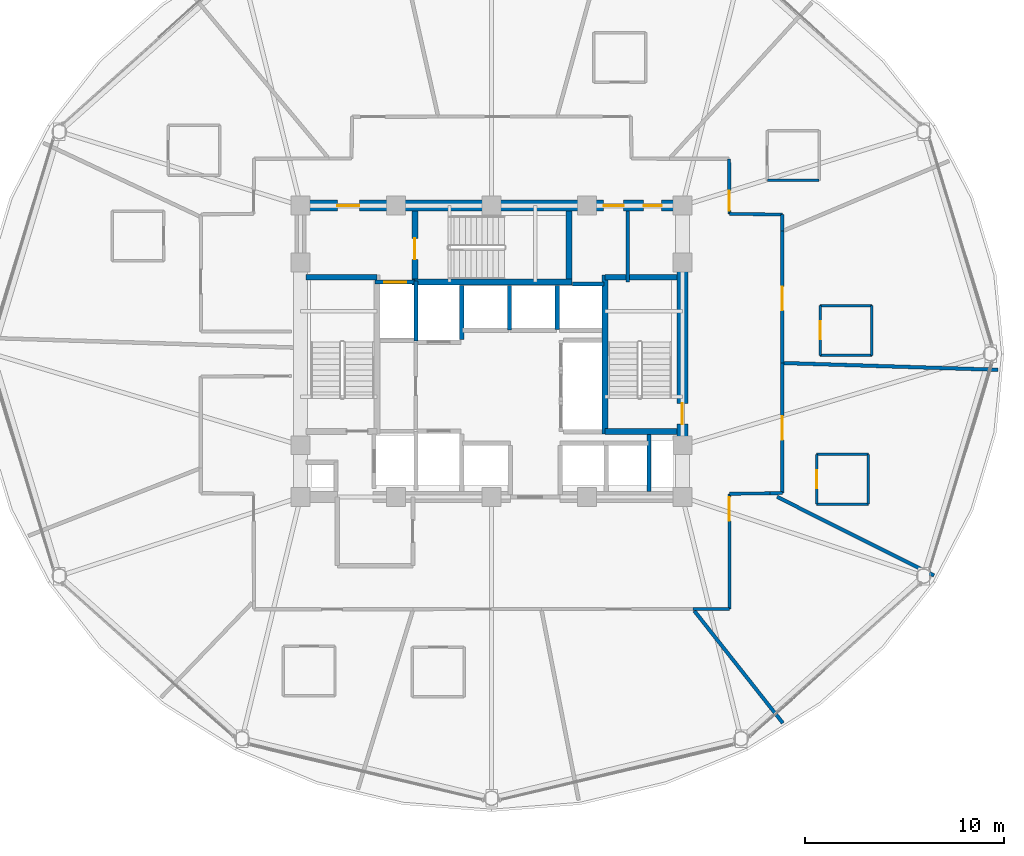
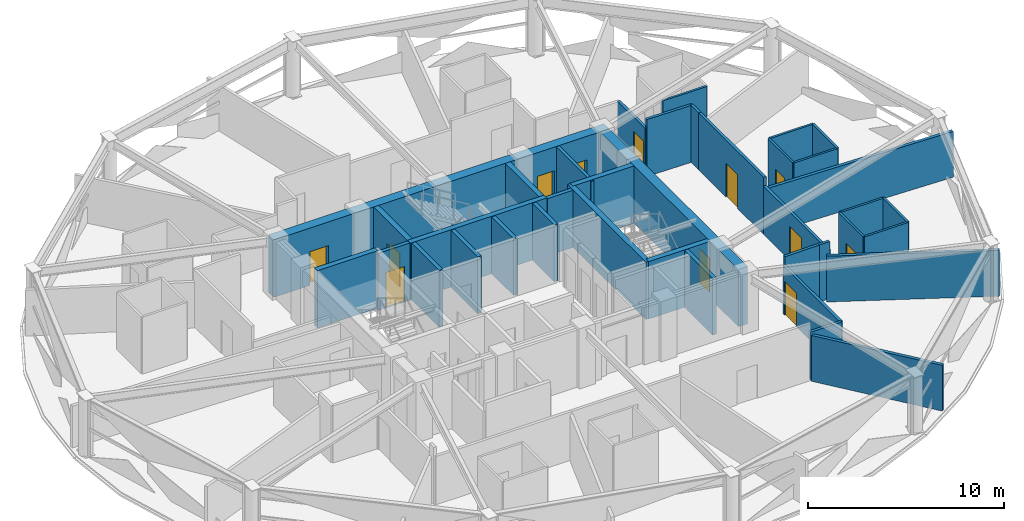
# One storey, part 25 of 30: 38 walls, 12 doors, 12 openings.
"""IFC4 building model written with IfcOpenShell, lengths in metres."""

from ifc_helpers import new_model, si_unit, direction, frame, frame_2d, origin, place, context, subcontext, project, spatial, rectangle, extrude, material, layer, layer_set, type_object, element, fill, save


model = new_model("IFC4")

# Units and contexts
model_context = context("Model", 3, precision=1e-05, world=origin(), true_north=direction((0.0, 1.0)))
body_context = subcontext(model_context, "Body", "Model", "MODEL_VIEW")
ifc_project = project(units=[si_unit("LENGTHUNIT", "METRE"), si_unit("AREAUNIT", "SQUARE_METRE"), si_unit("VOLUMEUNIT", "CUBIC_METRE"), si_unit("PLANEANGLEUNIT", "RADIAN"), si_unit("MASSUNIT", "GRAM", prefix="KILO")], contexts=[model_context])

# Site, building, storey
site_placement = place(None, origin())
site = spatial("IfcSite", under=ifc_project, at=site_placement, CompositionType="ELEMENT")
building_placement = place(site_placement, origin())
building = spatial("IfcBuilding", under=site, at=building_placement, Name="Vantalir Tower", CompositionType="ELEMENT")
storey_placement = place(building_placement, frame((0.0, 0.0, 130.949951171875)))
storey = spatial("IfcBuildingStorey", under=building, at=storey_placement, Name="L32", CompositionType="ELEMENT", Elevation=130.949951171875)

# Walls
ifc_material_1 = material(Name="Moisture-resistant en-suite partition", Category="gypsum")
ifc_layer_1 = layer(ifc_material_1, 0.125)
ifc_layer_set_1 = layer_set([ifc_layer_1], Name="Moisture-resistant en-suite partition")
wall_type_1 = type_object("IfcWallType", Name="WL-BATH-125", PredefinedType="PARTITIONING", material=ifc_layer_set_1)
wall_1_placement = place(storey_placement, frame((45.373046875, 33.718994140625, 0.0), z_axis=(0.0, 0.0, 1.0), x_axis=(1.0, 0.0, 0.0)))
element("IfcWall", 1, at=wall_1_placement, inside=storey, type_object=wall_type_1, Name="L32 En-suite 01 South Wall", PredefinedType="PARTITIONING", context=body_context, shape_type="SweptSolid", body=[
    extrude(rectangle(XDim=2.599853515625, YDim=0.125, at=frame_2d((1.2998046875, 0.0))), origin(), (0.0, 0.0, 1.0), 3.006103515625),
])
for number, where, z_axis, x_axis, name in (
    (2, (47.84912109375, 17.43798828125, 0.0), (0.0, 0.0, 1.0), (1.0, 0.0, 0.0), "L32 En-suite 13 South Wall"),
    (3, (47.84912109375, 19.93798828125, 0.0), (0.0, 0.0, 1.0), (1.0, 0.0, 0.0), "L32 En-suite 13 North Wall"),
):
    element("IfcWall", number, at=place(storey_placement, frame(where, z_axis=z_axis, x_axis=x_axis)), inside=storey, type_object=wall_type_1, Name=name, PredefinedType="PARTITIONING", context=body_context, shape_type="SweptSolid", body=[
        extrude(rectangle(XDim=2.599853515625, YDim=0.125, at=frame_2d((1.2998046875, 0.0))), origin(), (0.0, 0.0, 1.0), 3.550048828125),
    ])

# Wall, opening, door
wall_2_placement = place(storey_placement, frame((47.84912109375, 17.43798828125, 0.0), z_axis=(0.0, 0.0, 1.0), x_axis=(0.0, 1.0, 0.0)))
wall_2 = element("IfcWall", 4, at=wall_2_placement, inside=storey, type_object=wall_type_1, Name="L32 En-suite 13 West Wall", PredefinedType="PARTITIONING", context=body_context, shape_type="SweptSolid", body=[
    extrude(rectangle(XDim=2.5, YDim=0.125, at=frame_2d((1.25, 0.0))), origin(), (0.0, 0.0, 1.0), 3.550048828125),
])
opening_1_placement = place(wall_2_placement, frame((0.800048828125, 0.0, 0.0)))
opening_1 = element("IfcOpeningElement", 5, at=opening_1_placement, cuts=wall_2, Name="Opening D-WC", PredefinedType="OPENING", context=body_context, shape_type="SweptSolid", body=[
    extrude(rectangle(XDim=0.89990234375, YDim=2.10009765625, at=frame_2d((0.449951171875, 1.050048828125))), frame((0.0, 0.072509765625, 0.0), z_axis=(0.0, -1.0, 0.0), x_axis=(1.0, 0.0, 0.0)), (0.0, 0.0, 1.0), 0.14501953125),
])
ifc_material_2 = material(Name="Moisture-resistant hardwood door", Category="wood")
door_type_1 = type_object("IfcDoorType", Name="DR-ENSUITE-900", OperationType="NOTDEFINED", PredefinedType="DOOR", material=ifc_material_2)
door_1_placement = place(opening_1_placement, frame((0.89990234375, 0.0, 0.0), z_axis=(0.0, 0.0, 1.0), x_axis=(-1.0, 0.0, 0.0)))
door_1 = element("IfcDoor", 6, at=door_1_placement, inside=storey, type_object=door_type_1, Name="L32 En-suite 13 Door", OperationType="SINGLE_SWING_RIGHT", OverallHeight=2.10009765625, OverallWidth=0.89990234375, PredefinedType="DOOR", context=body_context, shape_type="SweptSolid", body=[
    extrude(rectangle(XDim=0.89990234375, YDim=2.10009765625, at=frame_2d((0.449951171875, 1.050048828125))), frame((0.0, 0.02490234375, 0.0), z_axis=(0.0, -1.0, 0.0), x_axis=(1.0, 0.0, 0.0)), (0.0, 0.0, 1.0), 0.050048828125),
])
fill(opening_1, door_1)

# Walls
wall_3_placement = place(storey_placement, frame((50.448974609375, 17.43798828125, 0.0), z_axis=(0.0, 0.0, 1.0), x_axis=(0.0, 1.0, 0.0)))
element("IfcWall", 7, at=wall_3_placement, inside=storey, type_object=wall_type_1, Name="L32 En-suite 13 East Wall", PredefinedType="PARTITIONING", context=body_context, shape_type="SweptSolid", body=[
    extrude(rectangle(XDim=2.5, YDim=0.125, at=frame_2d((1.25, 0.0))), origin(), (0.0, 0.0, 1.0), 3.550048828125),
])
for number, where, z_axis, x_axis, name in (
    (8, (48.02490234375, 24.926025390625, 0.0), (0.0, 0.0, 1.0), (1.0, 0.0, 0.0), "L32 En-suite 14 South Wall"),
    (9, (48.02490234375, 27.426025390625, 0.0), (0.0, 0.0, 1.0), (1.0, 0.0, 0.0), "L32 En-suite 14 North Wall"),
):
    element("IfcWall", number, at=place(storey_placement, frame(where, z_axis=z_axis, x_axis=x_axis)), inside=storey, type_object=wall_type_1, Name=name, PredefinedType="PARTITIONING", context=body_context, shape_type="SweptSolid", body=[
        extrude(rectangle(XDim=2.60009765625, YDim=0.125, at=frame_2d((1.300048828125, 0.0))), origin(), (0.0, 0.0, 1.0), 3.550048828125),
    ])

# Wall, opening, door
wall_4_placement = place(storey_placement, frame((48.02490234375, 24.926025390625, 0.0), z_axis=(0.0, 0.0, 1.0), x_axis=(0.0, 1.0, 0.0)))
wall_4 = element("IfcWall", 10, at=wall_4_placement, inside=storey, type_object=wall_type_1, Name="L32 En-suite 14 West Wall", PredefinedType="PARTITIONING", context=body_context, shape_type="SweptSolid", body=[
    extrude(rectangle(XDim=2.5, YDim=0.125, at=frame_2d((1.25, 0.0))), origin(), (0.0, 0.0, 1.0), 3.550048828125),
])
opening_2_placement = place(wall_4_placement, frame((0.800048828125, 0.0, 0.0)))
opening_2 = element("IfcOpeningElement", 11, at=opening_2_placement, cuts=wall_4, Name="Opening D-WC", PredefinedType="OPENING", context=body_context, shape_type="SweptSolid", body=[
    extrude(rectangle(XDim=0.89990234375, YDim=2.10009765625, at=frame_2d((0.449951171875, 1.050048828125))), frame((0.0, 0.072509765625, 0.0), z_axis=(0.0, -1.0, 0.0), x_axis=(1.0, 0.0, 0.0)), (0.0, 0.0, 1.0), 0.14501953125),
])
door_2_placement = place(opening_2_placement, frame((0.89990234375, 0.0, 0.0), z_axis=(0.0, 0.0, 1.0), x_axis=(-1.0, 0.0, 0.0)))
door_2 = element("IfcDoor", 12, at=door_2_placement, inside=storey, type_object=door_type_1, Name="L32 En-suite 14 Door", OperationType="SINGLE_SWING_LEFT", OverallHeight=2.10009765625, OverallWidth=0.89990234375, PredefinedType="DOOR", context=body_context, shape_type="SweptSolid", body=[
    extrude(rectangle(XDim=0.89990234375, YDim=2.10009765625, at=frame_2d((0.449951171875, 1.050048828125))), frame((0.0, 0.02490234375, 0.0), z_axis=(0.0, -1.0, 0.0), x_axis=(1.0, 0.0, 0.0)), (0.0, 0.0, 1.0), 0.050048828125),
])
fill(opening_2, door_2)

# Wall
wall_5_placement = place(storey_placement, frame((50.625, 24.926025390625, 0.0), z_axis=(0.0, 0.0, 1.0), x_axis=(0.0, 1.0, 0.0)))
element("IfcWall", 13, at=wall_5_placement, inside=storey, type_object=wall_type_1, Name="L32 En-suite 14 East Wall", PredefinedType="PARTITIONING", context=body_context, shape_type="SweptSolid", body=[
    extrude(rectangle(XDim=2.5, YDim=0.125, at=frame_2d((1.25, 0.0))), origin(), (0.0, 0.0, 1.0), 3.550048828125),
])

# Wall, openings, doors
ifc_material_3 = material(Name="Concrete C60/75", Category="concrete")
ifc_layer_2 = layer(ifc_material_3, 0.550048828125)
ifc_layer_set_2 = layer_set([ifc_layer_2], Name="Concrete C60/75")
wall_type_2 = type_object("IfcWallType", Name="WL-CORE-550", PredefinedType="SHEAR", material=ifc_layer_set_2)
wall_6_placement = place(storey_placement, frame((21.625, 32.449951171875, 0.0), z_axis=(0.0, 0.0, 1.0), x_axis=(1.0, 0.0, 0.0)))
wall_6 = element("IfcWall", 14, at=wall_6_placement, inside=storey, type_object=wall_type_2, Name="L32 Core Shear Wall North", PredefinedType="SHEAR", context=body_context, shape_type="SweptSolid", body=[
    extrude(rectangle(XDim=19.75, YDim=0.550048828125, at=frame_2d((9.875, 0.0))), origin(), (0.0, 0.0, 1.0), 3.570068359375),
])
opening_3_placement = place(wall_6_placement, frame((2.125, 0.0, 0.0)))
opening_3 = element("IfcOpeningElement", 15, at=opening_3_placement, cuts=wall_6, Name="Opening D-FFL", PredefinedType="OPENING", context=body_context, shape_type="SweptSolid", body=[
    extrude(rectangle(XDim=1.10009765625, YDim=2.10009765625, at=frame_2d((0.550048828125, 1.050048828125))), frame((0.0, 0.284912109375, 0.0), z_axis=(0.0, -1.0, 0.0), x_axis=(1.0, 0.0, 0.0)), (0.0, 0.0, 1.0), 0.570068359375),
])
opening_4_placement = place(wall_6_placement, frame((15.514892578125, 0.0, 0.0)))
opening_4 = element("IfcOpeningElement", 16, at=opening_4_placement, cuts=wall_6, Name="Opening D-GUEST", PredefinedType="OPENING", context=body_context, shape_type="SweptSolid", body=[
    extrude(rectangle(XDim=1.0, YDim=2.10009765625, at=frame_2d((0.5, 1.050048828125))), frame((0.0, 0.284912109375, 0.0), z_axis=(0.0, -1.0, 0.0), x_axis=(1.0, 0.0, 0.0)), (0.0, 0.0, 1.0), 0.570068359375),
])
opening_5_placement = place(wall_6_placement, frame((17.52490234375, 0.0, 0.0)))
opening_5 = element("IfcOpeningElement", 17, at=opening_5_placement, cuts=wall_6, Name="Opening D-CR", PredefinedType="OPENING", context=body_context, shape_type="SweptSolid", body=[
    extrude(rectangle(XDim=0.89990234375, YDim=2.10009765625, at=frame_2d((0.449951171875, 1.050048828125))), frame((0.0, 0.284912109375, 0.0), z_axis=(0.0, -1.0, 0.0), x_axis=(1.0, 0.0, 0.0)), (0.0, 0.0, 1.0), 0.570068359375),
])
ifc_material_4 = material(Name="Fire-rated steel core service door", Category="steel")
door_type_2 = type_object("IfcDoorType", Name="DR-CORE-SERV-900", OperationType="NOTDEFINED", PredefinedType="DOOR", material=ifc_material_4)
door_3_placement = place(opening_5_placement, frame((0.89990234375, 0.0, 0.0), z_axis=(0.0, 0.0, 1.0), x_axis=(-1.0, 0.0, 0.0)))
door_3 = element("IfcDoor", 18, at=door_3_placement, inside=storey, type_object=door_type_2, Name="L32 Housekeeping and Linen Room Door", OperationType="SINGLE_SWING_RIGHT", OverallHeight=2.10009765625, OverallWidth=0.89990234375, PredefinedType="DOOR", context=body_context, shape_type="SweptSolid", body=[
    extrude(rectangle(XDim=0.89990234375, YDim=2.10009765625, at=frame_2d((0.449951171875, 1.050048828125))), frame((0.0, 0.02490234375, 0.0), z_axis=(0.0, -1.0, 0.0), x_axis=(1.0, 0.0, 0.0)), (0.0, 0.0, 1.0), 0.050048828125),
])
fill(opening_5, door_3)
ifc_material_5 = material(Name="Fire-rated acoustic steel door", Category="steel")
door_type_3 = type_object("IfcDoorType", Name="DR-FIRE-LOBBY-1100", OperationType="NOTDEFINED", PredefinedType="DOOR", material=ifc_material_5)
door_4_placement = place(opening_3_placement, frame((1.10009765625, 0.0, 0.0), z_axis=(0.0, 0.0, 1.0), x_axis=(-1.0, 0.0, 0.0)))
door_4 = element("IfcDoor", 19, at=door_4_placement, inside=storey, type_object=door_type_3, Name="L32 Firefighting Lobby East Access Door", OperationType="SINGLE_SWING_RIGHT", OverallHeight=2.10009765625, OverallWidth=1.10009765625, PredefinedType="DOOR", context=body_context, shape_type="SweptSolid", body=[
    extrude(rectangle(XDim=1.10009765625, YDim=2.10009765625, at=frame_2d((0.550048828125, 1.050048828125))), frame((0.0, 0.02490234375, 0.0), z_axis=(0.0, -1.0, 0.0), x_axis=(1.0, 0.0, 0.0)), (0.0, 0.0, 1.0), 0.050048828125),
])
fill(opening_3, door_4)
ifc_material_6 = material(Name="Solid-core teak veneer acoustic fire door", Category="wood")
door_type_4 = type_object("IfcDoorType", Name="DR-GUEST-ENTRY-1000", OperationType="NOTDEFINED", PredefinedType="DOOR", material=ifc_material_6)
door_5_placement = place(opening_4_placement, frame((1.0, 0.0, 0.0), z_axis=(0.0, 0.0, 1.0), x_axis=(-1.0, 0.0, 0.0)))
door_5 = element("IfcDoor", 20, at=door_5_placement, inside=storey, type_object=door_type_4, Name="L32 High-Rise Lift Lobby Door", OperationType="SINGLE_SWING_LEFT", OverallHeight=2.10009765625, OverallWidth=1.0, PredefinedType="DOOR", context=body_context, shape_type="SweptSolid", body=[
    extrude(rectangle(XDim=1.0, YDim=2.10009765625, at=frame_2d((0.5, 1.050048828125))), frame((0.0, 0.02490234375, 0.0), z_axis=(0.0, -1.0, 0.0), x_axis=(1.0, 0.0, 0.0)), (0.0, 0.0, 1.0), 0.050048828125),
])
fill(opening_4, door_5)

# Wall, opening, door
wall_7_placement = place(storey_placement, frame((41.10009765625, 18.074951171875, 0.0), z_axis=(0.0, 0.0, 1.0), x_axis=(0.0, 1.0, 0.0)))
wall_7 = element("IfcWall", 21, at=wall_7_placement, inside=storey, type_object=wall_type_2, Name="L32 Core Shear Wall East", PredefinedType="SHEAR", context=body_context, shape_type="SweptSolid", body=[
    extrude(rectangle(XDim=14.10009765625, YDim=0.550048828125, at=frame_2d((7.050048828125, 0.0))), origin(), (0.0, 0.0, 1.0), 3.570068359375),
])
opening_6_placement = place(wall_7_placement, frame((3.385009765625, 0.0, 0.0)))
opening_6 = element("IfcOpeningElement", 22, at=opening_6_placement, cuts=wall_7, Name="Opening D-ST", PredefinedType="OPENING", context=body_context, shape_type="SweptSolid", body=[
    extrude(rectangle(XDim=1.050048828125, YDim=2.10009765625, at=frame_2d((0.52490234375, 1.050048828125))), frame((0.0, 0.284912109375, 0.0), z_axis=(0.0, -1.0, 0.0), x_axis=(1.0, 0.0, 0.0)), (0.0, 0.0, 1.0), 0.570068359375),
])
ifc_material_7 = material(Name="Fire-rated steel door leaf", Category="steel")
door_type_5 = type_object("IfcDoorType", Name="DR-FIRE-STAIR-1050", OperationType="NOTDEFINED", PredefinedType="DOOR", material=ifc_material_7)
door_6_placement = place(opening_6_placement, origin())
door_6 = element("IfcDoor", 23, at=door_6_placement, inside=storey, type_object=door_type_5, Name="L32 Exit Stair ST2 Fire Door", OperationType="SINGLE_SWING_LEFT", OverallHeight=2.10009765625, OverallWidth=1.050048828125, PredefinedType="DOOR", context=body_context, shape_type="SweptSolid", body=[
    extrude(rectangle(XDim=1.050048828125, YDim=2.10009765625, at=frame_2d((0.52490234375, 1.050048828125))), frame((0.0, 0.02490234375, 0.0), z_axis=(0.0, -1.0, 0.0), x_axis=(1.0, 0.0, 0.0)), (0.0, 0.0, 1.0), 0.050048828125),
])
fill(opening_6, door_6)

ifc_material_8 = material(Name="Fire-rated hotel corridor acoustic partition", Category="gypsum")
ifc_layer_3 = layer(ifc_material_8, 0.159912109375)
ifc_layer_set_3 = layer_set([ifc_layer_3], Name="Fire-rated hotel corridor acoustic partition")
wall_type_3 = type_object("IfcWallType", Name="WL-CORR-160", PredefinedType="PARTITIONING", material=ifc_layer_set_3)
wall_8_placement = place(storey_placement, frame((43.447021484375, 34.80810546875, 0.0), z_axis=(0.0, 0.0, 1.0), x_axis=(0.006526585281, -0.999978701615, 0.0)))
wall_8 = element("IfcWall", 24, at=wall_8_placement, inside=storey, type_object=wall_type_3, Name="L32 Corridor Partition 14", PredefinedType="PARTITIONING", context=body_context, shape_type="SweptSolid", body=[
    extrude(rectangle(XDim=2.76806640625, YDim=0.159912109375, at=frame_2d((1.384033203125, 0.0))), origin(), (0.0, 0.0, 1.0), 3.006103515625),
])
opening_7_placement = place(wall_8_placement, frame((1.60791015625, 0.0, 0.0)))
opening_7 = element("IfcOpeningElement", 25, at=opening_7_placement, cuts=wall_8, Name="Opening D-GUEST", PredefinedType="OPENING", context=body_context, shape_type="SweptSolid", body=[
    extrude(rectangle(XDim=1.0, YDim=2.10009765625, at=frame_2d((0.5, 1.050048828125))), frame((0.0, 0.08984375, 0.0), z_axis=(0.0, -1.0, 0.0), x_axis=(1.0, 0.0, 0.0)), (0.0, 0.0, 1.0), 0.179931640625),
])
door_7_placement = place(opening_7_placement, origin())
door_7 = element("IfcDoor", 26, at=door_7_placement, inside=storey, type_object=door_type_4, Name="L32 Twin Queen Hotel Room 01 Door", OperationType="SINGLE_SWING_RIGHT", OverallHeight=2.10009765625, OverallWidth=1.0, PredefinedType="DOOR", context=body_context, shape_type="SweptSolid", body=[
    extrude(rectangle(XDim=1.0, YDim=2.10009765625, at=frame_2d((0.5, 1.050048828125))), frame((0.0, 0.02490234375, 0.0), z_axis=(0.0, -1.0, 0.0), x_axis=(1.0, 0.0, 0.0)), (0.0, 0.0, 1.0), 0.050048828125),
])
fill(opening_7, door_7)

# Walls
wall_9_placement = place(storey_placement, frame((43.465087890625, 32.0400390625, 0.0), z_axis=(0.0, 0.0, 1.0), x_axis=(0.999886309258, -0.015078745261, 0.0)))
element("IfcWall", 27, at=wall_9_placement, inside=storey, type_object=wall_type_3, Name="L32 Corridor Partition 15", PredefinedType="PARTITIONING", context=body_context, shape_type="SweptSolid", body=[
    extrude(rectangle(XDim=2.6552734375, YDim=0.159912109375, at=frame_2d((1.32763671875, 0.0))), origin(), (0.0, 0.0, 1.0), 3.550048828125),
])
wall_10_placement = place(storey_placement, frame((46.1201171875, 32.0, 0.0), z_axis=(0.0, 0.0, 1.0), x_axis=(0.0, -1.0, 0.0)))
element("IfcWall", 28, at=wall_10_placement, inside=storey, type_object=wall_type_3, Name="L32 Corridor Partition 16", PredefinedType="PARTITIONING", context=body_context, shape_type="SweptSolid", body=[
    extrude(rectangle(XDim=0.8359375, YDim=0.159912109375, at=frame_2d((0.41796875, 0.0))), origin(), (0.0, 0.0, 1.0), 3.550048828125),
])

# Wall, opening, door
wall_11_placement = place(storey_placement, frame((46.1201171875, 31.1640625, 0.0), z_axis=(0.0, 0.0, 1.0), x_axis=(0.0, -1.0, 0.0)))
wall_11 = element("IfcWall", 29, at=wall_11_placement, inside=storey, type_object=wall_type_3, Name="L32 Corridor Partition 17", PredefinedType="PARTITIONING", context=body_context, shape_type="SweptSolid", body=[
    extrude(rectangle(XDim=6.6259765625, YDim=0.159912109375, at=frame_2d((3.31298828125, 0.0))), origin(), (0.0, 0.0, 1.0), 3.550048828125),
])
opening_8_placement = place(wall_11_placement, frame((2.785888671875, 0.0, 0.0)))
opening_8 = element("IfcOpeningElement", 30, at=opening_8_placement, cuts=wall_11, Name="Opening D-STE", PredefinedType="OPENING", context=body_context, shape_type="SweptSolid", body=[
    extrude(rectangle(XDim=1.199951171875, YDim=2.10009765625, at=frame_2d((0.60009765625, 1.050048828125))), frame((0.0, 0.08984375, 0.0), z_axis=(0.0, -1.0, 0.0), x_axis=(1.0, 0.0, 0.0)), (0.0, 0.0, 1.0), 0.179931640625),
])
ifc_material_9 = material(Name="Solid-core teak veneer suite entrance door", Category="wood")
door_type_6 = type_object("IfcDoorType", Name="DR-SUITE-ENTRY-1200", OperationType="NOTDEFINED", PredefinedType="DOOR", material=ifc_material_9)
door_8_placement = place(opening_8_placement, origin())
door_8 = element("IfcDoor", 31, at=door_8_placement, inside=storey, type_object=door_type_6, Name="L32 Corner Panorama Hotel Suite 14 Door", OperationType="SINGLE_SWING_LEFT", OverallHeight=2.10009765625, OverallWidth=1.199951171875, PredefinedType="DOOR", context=body_context, shape_type="SweptSolid", body=[
    extrude(rectangle(XDim=1.199951171875, YDim=2.10009765625, at=frame_2d((0.60009765625, 1.050048828125))), frame((0.0, 0.02490234375, 0.0), z_axis=(0.0, -1.0, 0.0), x_axis=(1.0, 0.0, 0.0)), (0.0, 0.0, 1.0), 0.050048828125),
])
fill(opening_8, door_8)

wall_12_placement = place(storey_placement, frame((46.1201171875, 24.5380859375, 0.0), z_axis=(0.0, 0.0, 1.0), x_axis=(0.0, -1.0, 0.0)))
wall_12 = element("IfcWall", 32, at=wall_12_placement, inside=storey, type_object=wall_type_3, Name="L32 Corridor Partition 18", PredefinedType="PARTITIONING", context=body_context, shape_type="SweptSolid", body=[
    extrude(rectangle(XDim=6.5419921875, YDim=0.159912109375, at=frame_2d((3.27099609375, 0.0))), origin(), (0.0, 0.0, 1.0), 3.006103515625),
])
opening_9_placement = place(wall_12_placement, frame((2.6708984375, 0.0, 0.0)))
opening_9 = element("IfcOpeningElement", 33, at=opening_9_placement, cuts=wall_12, Name="Opening D-STE", PredefinedType="OPENING", context=body_context, shape_type="SweptSolid", body=[
    extrude(rectangle(XDim=1.199951171875, YDim=2.10009765625, at=frame_2d((0.60009765625, 1.050048828125))), frame((0.0, 0.08984375, 0.0), z_axis=(0.0, -1.0, 0.0), x_axis=(1.0, 0.0, 0.0)), (0.0, 0.0, 1.0), 0.179931640625),
])
door_9_placement = place(opening_9_placement, origin())
door_9 = element("IfcDoor", 34, at=door_9_placement, inside=storey, type_object=door_type_6, Name="L32 Corner Panorama Hotel Suite 13 Door", OperationType="SINGLE_SWING_RIGHT", OverallHeight=2.10009765625, OverallWidth=1.199951171875, PredefinedType="DOOR", context=body_context, shape_type="SweptSolid", body=[
    extrude(rectangle(XDim=1.199951171875, YDim=2.10009765625, at=frame_2d((0.60009765625, 1.050048828125))), frame((0.0, 0.02490234375, 0.0), z_axis=(0.0, -1.0, 0.0), x_axis=(1.0, 0.0, 0.0)), (0.0, 0.0, 1.0), 0.050048828125),
])
fill(opening_9, door_9)

# Walls
wall_13_placement = place(storey_placement, frame((46.1201171875, 17.99609375, 0.0), z_axis=(0.0, 0.0, 1.0), x_axis=(-0.999917249765, -0.012864432453, 0.0)))
element("IfcWall", 35, at=wall_13_placement, inside=storey, type_object=wall_type_3, Name="L32 Corridor Partition 19", PredefinedType="PARTITIONING", context=body_context, shape_type="SweptSolid", body=[
    extrude(rectangle(XDim=0.626220703125, YDim=0.159912109375, at=frame_2d((0.31298828125, 0.0))), origin(), (0.0, 0.0, 1.0), 3.550048828125),
])
wall_14_placement = place(storey_placement, frame((45.493896484375, 17.988037109375, 0.0), z_axis=(0.0, 0.0, 1.0), x_axis=(-0.999904258272, -0.01383742355, 0.0)))
element("IfcWall", 36, at=wall_14_placement, inside=storey, type_object=wall_type_3, Name="L32 Corridor Partition 20", PredefinedType="PARTITIONING", context=body_context, shape_type="SweptSolid", body=[
    extrude(rectangle(XDim=2.029052734375, YDim=0.159912109375, at=frame_2d((1.0146484375, 0.0))), origin(), (0.0, 0.0, 1.0), 3.550048828125),
])

# Wall, opening, door
wall_15_placement = place(storey_placement, frame((43.465087890625, 17.9599609375, 0.0), z_axis=(0.0, 0.0, 1.0), x_axis=(-0.001222389915, -0.999999252881, 0.0)))
wall_15 = element("IfcWall", 37, at=wall_15_placement, inside=storey, type_object=wall_type_3, Name="L32 Corridor Partition 21", PredefinedType="PARTITIONING", context=body_context, shape_type="SweptSolid", body=[
    extrude(rectangle(XDim=5.7919921875, YDim=0.159912109375, at=frame_2d((2.89599609375, 0.0))), origin(), (0.0, 0.0, 1.0), 3.006103515625),
])
opening_10_placement = place(wall_15_placement, frame((0.159912109375, 0.0, 0.0)))
opening_10 = element("IfcOpeningElement", 38, at=opening_10_placement, cuts=wall_15, Name="Opening D-STE", PredefinedType="OPENING", context=body_context, shape_type="SweptSolid", body=[
    extrude(rectangle(XDim=1.199951171875, YDim=2.10009765625, at=frame_2d((0.60009765625, 1.050048828125))), frame((0.0, 0.08984375, 0.0), z_axis=(0.0, -1.0, 0.0), x_axis=(1.0, 0.0, 0.0)), (0.0, 0.0, 1.0), 0.179931640625),
])
door_10_placement = place(opening_10_placement, origin())
door_10 = element("IfcDoor", 39, at=door_10_placement, inside=storey, type_object=door_type_6, Name="L32 Executive Sky Boardroom 12 Door", OperationType="SINGLE_SWING_LEFT", OverallHeight=2.10009765625, OverallWidth=1.199951171875, PredefinedType="DOOR", context=body_context, shape_type="SweptSolid", body=[
    extrude(rectangle(XDim=1.199951171875, YDim=2.10009765625, at=frame_2d((0.60009765625, 1.050048828125))), frame((0.0, 0.02490234375, 0.0), z_axis=(0.0, -1.0, 0.0), x_axis=(1.0, 0.0, 0.0)), (0.0, 0.0, 1.0), 0.050048828125),
])
fill(opening_10, door_10)

# Walls
wall_16_placement = place(storey_placement, frame((43.4580078125, 12.16796875, 0.0), z_axis=(0.0, 0.0, 1.0), x_axis=(-0.999999858081, -0.000532764975, 0.0)))
element("IfcWall", 40, at=wall_16_placement, inside=storey, type_object=wall_type_3, Name="L32 Corridor Partition 22", PredefinedType="PARTITIONING", context=body_context, shape_type="SweptSolid", body=[
    extrude(rectangle(XDim=1.8330078125, YDim=0.159912109375, at=frame_2d((0.91650390625, 0.0))), origin(), (0.0, 0.0, 1.0), 3.006103515625),
])
ifc_material_10 = material(Name="Concrete blockwork with fireboard lining", Category="masonry")
ifc_layer_4 = layer(ifc_material_10, 0.219970703125)
ifc_layer_set_4 = layer_set([ifc_layer_4], Name="Concrete blockwork with fireboard lining")
wall_type_4 = type_object("IfcWallType", Name="WL-FFL-220", PredefinedType="PARTITIONING", material=ifc_layer_set_4)
wall_17_placement = place(storey_placement, frame((30.0, 25.7099609375, 0.0), z_axis=(0.0, 0.0, 1.0), x_axis=(0.0, 1.0, 0.0)))
element("IfcWall", 41, at=wall_17_placement, inside=storey, type_object=wall_type_4, Name="L32 Service Lift SV2 East Shaft Wall", PredefinedType="PARTITIONING", context=body_context, shape_type="SweptSolid", body=[
    extrude(rectangle(XDim=2.72998046875, YDim=0.219970703125, at=frame_2d((1.364990234375, 0.0))), origin(), (0.0, 0.0, 1.0), 3.545166015625),
])
wall_18_placement = place(storey_placement, frame((32.39990234375, 26.199951171875, 0.0), z_axis=(0.0, 0.0, 1.0), x_axis=(0.0, 1.0, 0.0)))
element("IfcWall", 42, at=wall_18_placement, inside=storey, type_object=wall_type_4, Name="L32 High-Rise Lift PL-H1/H2 Shaft Divider", PredefinedType="PARTITIONING", context=body_context, shape_type="SweptSolid", body=[
    extrude(rectangle(XDim=2.239990234375, YDim=0.219970703125, at=frame_2d((1.1201171875, 0.0))), origin(), (0.0, 0.0, 1.0), 3.545166015625),
])
wall_19_placement = place(storey_placement, frame((34.800048828125, 26.22998046875, 0.0), z_axis=(0.0, 0.0, 1.0), x_axis=(0.0, 1.0, 0.0)))
element("IfcWall", 43, at=wall_19_placement, inside=storey, type_object=wall_type_4, Name="L32 High-Rise Lift PL-H2/H3 Shaft Divider", PredefinedType="PARTITIONING", context=body_context, shape_type="SweptSolid", body=[
    extrude(rectangle(XDim=2.2099609375, YDim=0.219970703125, at=frame_2d((1.10498046875, 0.0))), origin(), (0.0, 0.0, 1.0), 3.545166015625),
])
wall_20_placement = place(storey_placement, frame((39.419921875, 18.074951171875, 0.0), z_axis=(0.0, 0.0, 1.0), x_axis=(0.0, 1.0, 0.0)))
element("IfcWall", 44, at=wall_20_placement, inside=storey, type_object=wall_type_4, Name="L32 East MEP Riser Wall W", PredefinedType="PARTITIONING", context=body_context, shape_type="SweptSolid", body=[
    extrude(rectangle(XDim=2.875, YDim=0.219970703125, at=frame_2d((1.4375, 0.0))), origin(), (0.0, 0.0, 1.0), 3.550048828125),
])

# Wall, opening, door
wall_21_placement = place(storey_placement, frame((25.639892578125, 28.610107421875, 0.0), z_axis=(0.0, 0.0, 1.0), x_axis=(1.0, 0.0, 0.0)))
wall_21 = element("IfcWall", 45, at=wall_21_placement, inside=storey, type_object=wall_type_4, Name="L32 Lift FL2 Shaft Front Wall", PredefinedType="PARTITIONING", context=body_context, shape_type="SweptSolid", body=[
    extrude(rectangle(XDim=2.02001953125, YDim=0.219970703125, at=frame_2d((1.010009765625, 0.0))), origin(), (0.0, 0.0, 1.0), 3.550048828125),
])
opening_11_placement = place(wall_21_placement, frame((0.4599609375, 0.0, 0.0)))
opening_11 = element("IfcOpeningElement", 46, at=opening_11_placement, cuts=wall_21, Name="Opening LD-FL2", PredefinedType="OPENING", context=body_context, shape_type="SweptSolid", body=[
    extrude(rectangle(XDim=1.10009765625, YDim=2.199951171875, at=frame_2d((0.550048828125, 1.10009765625))), frame((0.0, 0.119873046875, 0.0), z_axis=(0.0, -1.0, 0.0), x_axis=(1.0, 0.0, 0.0)), (0.0, 0.0, 1.0), 0.239990234375),
])
ifc_material_11 = material(Name="Brushed stainless-steel sliding lift landing door", Category="steel")
door_type_7 = type_object("IfcDoorType", Name="DR-LIFT-LANDING-1100", OperationType="DOUBLE_DOOR_SLIDING", PredefinedType="DOOR", material=ifc_material_11)
door_11_placement = place(opening_11_placement, origin())
door_11 = element("IfcDoor", 47, at=door_11_placement, inside=storey, type_object=door_type_7, Name="L32 Lift Landing Door FL2", OperationType="DOUBLE_DOOR_SLIDING", OverallHeight=2.199951171875, OverallWidth=1.10009765625, PredefinedType="DOOR", context=body_context, shape_type="SweptSolid", body=[
    extrude(rectangle(XDim=1.10009765625, YDim=2.199951171875, at=frame_2d((0.550048828125, 1.10009765625))), frame((0.0, 0.02490234375, 0.0), z_axis=(0.0, -1.0, 0.0), x_axis=(1.0, 0.0, 0.0)), (0.0, 0.0, 1.0), 0.050048828125),
])
fill(opening_11, door_11)

# Walls
wall_22_placement = place(storey_placement, frame((35.56005859375, 28.510009765625, 0.0), z_axis=(0.0, 0.0, 1.0), x_axis=(1.0, 0.0, 0.0)))
element("IfcWall", 48, at=wall_22_placement, inside=storey, type_object=wall_type_4, Name="L32 Lift PL-H3 Shaft Front Wall", PredefinedType="PARTITIONING", context=body_context, shape_type="SweptSolid", body=[
    extrude(rectangle(XDim=1.599853515625, YDim=0.219970703125, at=frame_2d((0.7998046875, 0.0))), origin(), (0.0, 0.0, 1.0), 3.550048828125),
])
wall_23_placement = place(storey_placement, frame((27.699951171875, 25.64990234375, 0.0), z_axis=(0.0, 0.0, 1.0), x_axis=(0.0, 1.0, 0.0)))
element("IfcWall", 49, at=wall_23_placement, inside=storey, type_object=wall_type_4, Name="L32 Fire Lift FL2 Dividing Wall", PredefinedType="PARTITIONING", context=body_context, shape_type="SweptSolid", body=[
    extrude(rectangle(XDim=3.0, YDim=0.219970703125, at=frame_2d((1.5, 0.0))), origin(), (0.0, 0.0, 1.0), 3.550048828125),
])
ifc_material_12 = material(Name="Twin-stud acoustic fire-rated gypsum partition", Category="gypsum")
ifc_layer_5 = layer(ifc_material_12, 0.179931640625)
ifc_layer_set_5 = layer_set([ifc_layer_5], Name="Twin-stud acoustic fire-rated gypsum partition")
wall_type_5 = type_object("IfcWallType", Name="WL-GUEST-180", PredefinedType="PARTITIONING", material=ifc_layer_set_5)
wall_24_placement = place(storey_placement, frame((38.340087890625, 28.6201171875, 0.0), z_axis=(0.0, 0.0, 1.0), x_axis=(0.0, 1.0, 0.0)))
element("IfcWall", 50, at=wall_24_placement, inside=storey, type_object=wall_type_5, Name="L32 High-Rise Lift Lobby East Wall", PredefinedType="PARTITIONING", context=body_context, shape_type="SweptSolid", body=[
    extrude(rectangle(XDim=3.554931640625, YDim=0.179931640625, at=frame_2d((1.77734375, 0.0))), origin(), (0.0, 0.0, 1.0), 3.550048828125),
])
wall_25_placement = place(storey_placement, frame((41.697021484375, 12.074951171875, 0.0), z_axis=(0.0, 0.0, 1.0), x_axis=(0.619374434799, -0.785095732709, 0.0)))
element("IfcWall", 51, at=wall_25_placement, inside=storey, type_object=wall_type_5, Name="L32 Radial Suite Partition 12", PredefinedType="PARTITIONING", context=body_context, shape_type="SweptSolid", body=[
    extrude(rectangle(XDim=7.187744140625, YDim=0.179931640625, at=frame_2d((3.59375, 0.0))), origin(), (0.0, 0.0, 1.0), 2.85205078125),
])
wall_26_placement = place(storey_placement, frame((45.85302734375, 17.80810546875, 0.0), z_axis=(0.0, 0.0, 1.0), x_axis=(0.893995614381, -0.448075709526, 0.0)))
element("IfcWall", 52, at=wall_26_placement, inside=storey, type_object=wall_type_5, Name="L32 Radial Suite Partition 13", PredefinedType="PARTITIONING", context=body_context, shape_type="SweptSolid", body=[
    extrude(rectangle(XDim=8.833251953125, YDim=0.179931640625, at=frame_2d((4.41650390625, 0.0))), origin(), (0.0, 0.0, 1.0), 2.85205078125),
])
wall_27_placement = place(storey_placement, frame((46.195068359375, 24.535888671875, 0.0), z_axis=(0.0, 0.0, 1.0), x_axis=(0.999502434648, -0.031541768058, 0.0)))
element("IfcWall", 53, at=wall_27_placement, inside=storey, type_object=wall_type_5, Name="L32 Radial Suite Partition 14", PredefinedType="PARTITIONING", context=body_context, shape_type="SweptSolid", body=[
    extrude(rectangle(XDim=10.7744140625, YDim=0.179931640625, at=frame_2d((5.38720703125, 0.0))), origin(), (0.0, 0.0, 1.0), 2.85205078125),
])
ifc_material_13 = material(Name="Concrete C50/60", Category="concrete")
ifc_layer_6 = layer(ifc_material_13, 0.300048828125)
ifc_layer_set_6 = layer_set([ifc_layer_6], Name="Concrete C50/60")
wall_type_6 = type_object("IfcWallType", Name="WL-STAIR-300", PredefinedType="SHEAR", material=ifc_layer_set_6)
wall_28_placement = place(storey_placement, frame((22.175048828125, 28.85009765625, 0.0), z_axis=(0.0, 0.0, 1.0), x_axis=(1.0, 0.0, 0.0)))
element("IfcWall", 54, at=wall_28_placement, inside=storey, type_object=wall_type_6, Name="L32 Stair ST1 North Wall", PredefinedType="SHEAR", context=body_context, shape_type="SweptSolid", body=[
    extrude(rectangle(XDim=3.56494140625, YDim=0.300048828125, at=frame_2d((1.782470703125, 0.0))), origin(), (0.0, 0.0, 1.0), 3.570068359375),
])
for number, where, z_axis, x_axis, name in (
    (55, (37.2099609375, 21.10009765625, 0.0), (0.0, 0.0, 1.0), (1.0, 0.0, 0.0), "L32 Stair ST2 South Wall"),
    (56, (37.2099609375, 28.85009765625, 0.0), (0.0, 0.0, 1.0), (1.0, 0.0, 0.0), "L32 Stair ST2 North Wall"),
):
    element("IfcWall", number, at=place(storey_placement, frame(where, z_axis=z_axis, x_axis=x_axis)), inside=storey, type_object=wall_type_6, Name=name, PredefinedType="SHEAR", context=body_context, shape_type="SweptSolid", body=[
        extrude(rectangle(XDim=3.614990234375, YDim=0.300048828125, at=frame_2d((1.8076171875, 0.0))), origin(), (0.0, 0.0, 1.0), 3.570068359375),
    ])
wall_29_placement = place(storey_placement, frame((37.2099609375, 20.97998046875, 0.0), z_axis=(0.0, 0.0, 1.0), x_axis=(0.0, 1.0, 0.0)))
element("IfcWall", 57, at=wall_29_placement, inside=storey, type_object=wall_type_6, Name="L32 Stair ST2 West Wall", PredefinedType="SHEAR", context=body_context, shape_type="SweptSolid", body=[
    extrude(rectangle(XDim=7.989990234375, YDim=0.300048828125, at=frame_2d((3.9951171875, 0.0))), origin(), (0.0, 0.0, 1.0), 3.570068359375),
])
wall_30_placement = place(storey_placement, frame((27.510009765625, 28.60009765625, 0.0), z_axis=(0.0, 0.0, 1.0), x_axis=(1.0, 0.0, 0.0)))
element("IfcWall", 58, at=wall_30_placement, inside=storey, type_object=wall_type_6, Name="L32 Stair ST3 South Wall", PredefinedType="SHEAR", context=body_context, shape_type="SweptSolid", body=[
    extrude(rectangle(XDim=8.030029296875, YDim=0.300048828125, at=frame_2d((4.01513671875, 0.0))), origin(), (0.0, 0.0, 1.0), 3.570068359375),
])

# Wall, opening, door
wall_31_placement = place(storey_placement, frame((27.64990234375, 28.75, 0.0), z_axis=(0.0, 0.0, 1.0), x_axis=(0.0, 1.0, 0.0)))
wall_31 = element("IfcWall", 59, at=wall_31_placement, inside=storey, type_object=wall_type_6, Name="L32 Stair ST3 West Wall", PredefinedType="SHEAR", context=body_context, shape_type="SweptSolid", body=[
    extrude(rectangle(XDim=3.425048828125, YDim=0.300048828125, at=frame_2d((1.71240234375, 0.0))), origin(), (0.0, 0.0, 1.0), 3.570068359375),
])
opening_12_placement = place(wall_31_placement, frame((1.0, 0.0, 0.0)))
opening_12 = element("IfcOpeningElement", 60, at=opening_12_placement, cuts=wall_31, Name="Opening D-ST", PredefinedType="OPENING", context=body_context, shape_type="SweptSolid", body=[
    extrude(rectangle(XDim=1.050048828125, YDim=2.10009765625, at=frame_2d((0.52490234375, 1.050048828125))), frame((0.0, 0.159912109375, 0.0), z_axis=(0.0, -1.0, 0.0), x_axis=(1.0, 0.0, 0.0)), (0.0, 0.0, 1.0), 0.320068359375),
])
door_12_placement = place(opening_12_placement, frame((1.050048828125, 0.0, 0.0), z_axis=(0.0, 0.0, 1.0), x_axis=(-1.0, 0.0, 0.0)))
door_12 = element("IfcDoor", 61, at=door_12_placement, inside=storey, type_object=door_type_5, Name="L32 Exit Stair ST3 Fire Door", OperationType="SINGLE_SWING_LEFT", OverallHeight=2.10009765625, OverallWidth=1.050048828125, PredefinedType="DOOR", context=body_context, shape_type="SweptSolid", body=[
    extrude(rectangle(XDim=1.050048828125, YDim=2.10009765625, at=frame_2d((0.52490234375, 1.050048828125))), frame((0.0, 0.02490234375, 0.0), z_axis=(0.0, -1.0, 0.0), x_axis=(1.0, 0.0, 0.0)), (0.0, 0.0, 1.0), 0.050048828125),
])
fill(opening_12, door_12)

# Wall
wall_32_placement = place(storey_placement, frame((35.39990234375, 28.75, 0.0), z_axis=(0.0, 0.0, 1.0), x_axis=(0.0, 1.0, 0.0)))
element("IfcWall", 62, at=wall_32_placement, inside=storey, type_object=wall_type_6, Name="L32 Stair ST3 East Wall", PredefinedType="SHEAR", context=body_context, shape_type="SweptSolid", body=[
    extrude(rectangle(XDim=3.425048828125, YDim=0.300048828125, at=frame_2d((1.71240234375, 0.0))), origin(), (0.0, 0.0, 1.0), 3.570068359375),
])

save(model, "model.ifc")
